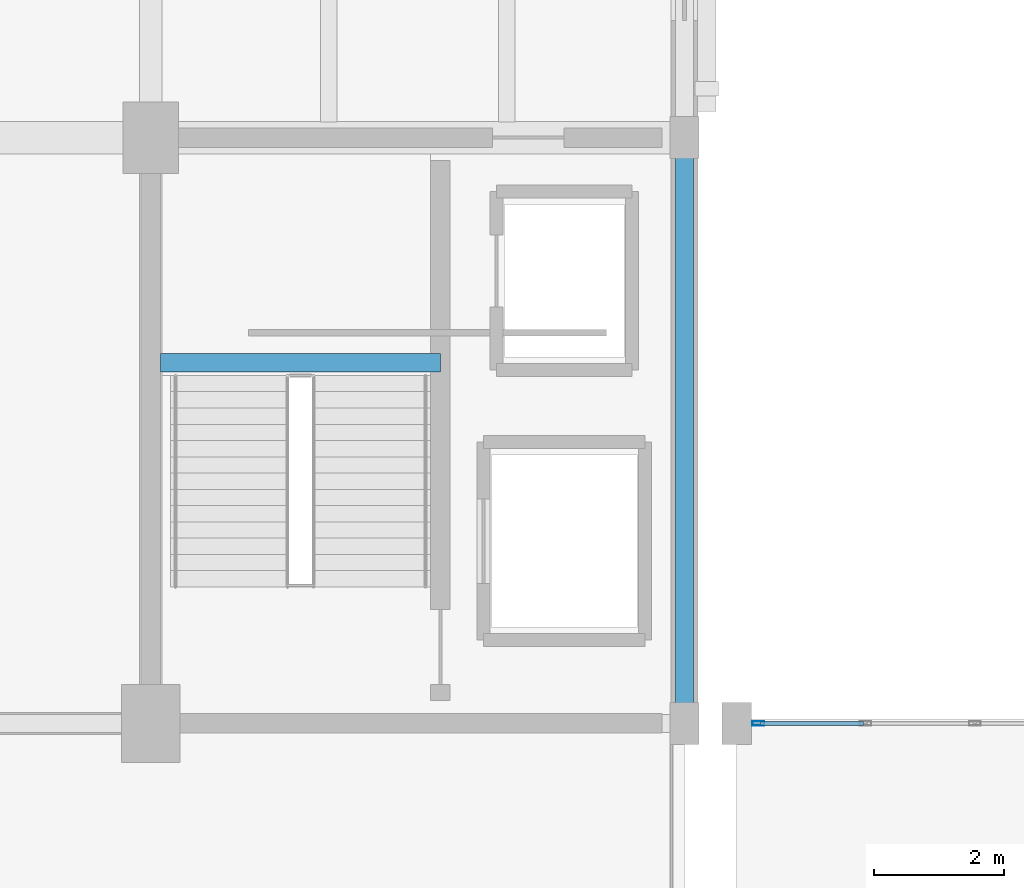
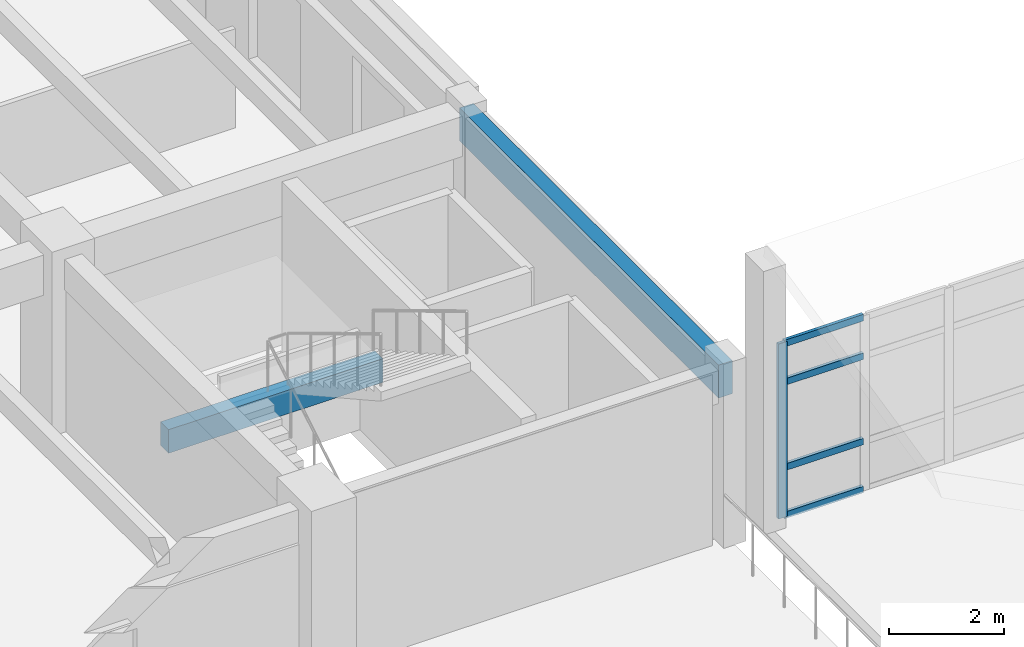
# One storey, part 30 of 156: 5 members, 2 beams, 1 element without a shape of its own.
"""IFC4 building model written with IfcOpenShell, lengths in metres."""

from ifc_helpers import new_model, si_unit, direction, frame, origin, origin_2d, place, context, subcontext, project, spatial, rectangle, hollow_rectangle, extrude, material, layer, layer_set, material_profile, profile_set, type_object, element, aggregate, save


model = new_model("IFC4")

# Units and contexts
model_context = context("Model", 3, precision=1e-05, world=origin(), true_north=direction((0.0, 1.0)))
body_context = subcontext(model_context, "Body", "Model", "MODEL_VIEW")
ifc_project = project(units=[si_unit("LENGTHUNIT", "METRE"), si_unit("AREAUNIT", "SQUARE_METRE"), si_unit("VOLUMEUNIT", "CUBIC_METRE"), si_unit("PLANEANGLEUNIT", "RADIAN"), si_unit("MASSUNIT", "GRAM", prefix="KILO")], contexts=[model_context])

# Site, building, storey
site_placement = place(None, origin())
site = spatial("IfcSite", under=ifc_project, at=site_placement, CompositionType="ELEMENT")
building_placement = place(site_placement, origin())
building = spatial("IfcBuilding", under=site, at=building_placement, Name="Ornek Quay Market", CompositionType="ELEMENT")
storey_placement = place(building_placement, frame((0.0, 0.0, 4.5)))
storey = spatial("IfcBuildingStorey", under=building, at=storey_placement, Name="L01", CompositionType="ELEMENT", Elevation=4.5)

# Beams
ifc_material_1 = material(Name="Concrete C35/45", Category="concrete")
ifc_material_profile_1 = material_profile(ifc_material_1, rectangle(XDim=0.280029296875, YDim=0.5, at=origin_2d()), Name="RC 280x500", Category="concrete")
ifc_profile_set_1 = profile_set([ifc_material_profile_1], Name="Concrete C35/45")
beam_type_1 = type_object("IfcBeamType", Name="BM-SEC-280x500", PredefinedType="JOIST", material=ifc_profile_set_1)
beam_1_placement = place(storey_placement, frame((117.14990234375, 34.5419921875, 1.534912109375), z_axis=(1.0, 0.0, 0.0), x_axis=(0.0, 1.0, 0.0)))
element("IfcBeam", 1, at=beam_1_placement, inside=storey, type_object=beam_type_1, Name="Stair landing beam BL-09", PredefinedType="JOIST", context=body_context, shape_type="SweptSolid", body=[
    extrude(rectangle(XDim=0.280029296875, YDim=0.5, at=origin_2d()), origin(), (0.0, 0.0, 1.0), 4.300048828125),
])
ifc_material_profile_2 = material_profile(ifc_material_1, rectangle(XDim=0.280029296875, YDim=0.699951171875, at=origin_2d()), Name="RC 280x700", Category="concrete")
ifc_profile_set_2 = profile_set([ifc_material_profile_2], Name="Concrete C35/45")
beam_type_2 = type_object("IfcBeamType", Name="BM-SPN-280x700", PredefinedType="SPANDREL", material=ifc_profile_set_2)
beam_2_placement = place(storey_placement, frame((125.199951171875, 29.0, 3.31005859375), z_axis=(0.0, 1.0, 0.0), x_axis=(-1.0, 0.0, 0.0)))
element("IfcBeam", 2, at=beam_2_placement, inside=storey, type_object=beam_type_2, Name="Primary beam B-SP2-080", PredefinedType="SPANDREL", context=body_context, shape_type="SweptSolid", body=[
    extrude(rectangle(XDim=0.280029296875, YDim=0.699951171875, at=origin_2d()), origin(), (0.0, 0.0, 1.0), 9.0),
])

# Curtain wall, members
ifc_material_2 = material(Name="Anodised bronze aluminium and triple low-e glass", Category="aluminium")
ifc_layer = layer(ifc_material_2, 0.199951171875, Name="Anodised bronze aluminium and triple low-e glass", Category="aluminium")
ifc_layer_set = layer_set([ifc_layer], Name="Anodised bronze aluminium and triple low-e glass")
curtain_wall_type = type_object("IfcCurtainWallType", Name="CW-CONC-MOD1800", PredefinedType="USERDEFINED", material=ifc_layer_set)
curtain_wall_placement = place(storey_placement, origin())
curtain_wall = element("IfcCurtainWall", 3, at=curtain_wall_placement, inside=storey, type_object=curtain_wall_type, Name="Curtain wall CW-035", ObjectType="CURTAIN WALL", PredefinedType="USERDEFINED")
ifc_material_3 = material(Name="Anodised aluminium 6063-T6", Category="aluminium")
ifc_material_profile_3 = material_profile(ifc_material_3, hollow_rectangle(XDim=0.06494140625, YDim=0.179931640625, WallThickness=0.00439453125, at=origin_2d()), Name="CW-MUL-65x180", Category="aluminium")
ifc_profile_set_3 = profile_set([ifc_material_profile_3], Name="Anodised aluminium 6063-T6")
member_type_1 = type_object("IfcMemberType", Name="CW-MUL-65x180", PredefinedType="MULLION", material=ifc_profile_set_3)
member_1_placement = place(storey_placement, frame((126.33251953125, 29.0, 0.0), z_axis=(0.0, 0.0, 1.0), x_axis=(0.0, 1.0, 0.0)))
member_1 = element("IfcMember", 4, at=member_1_placement, type_object=member_type_1, Name="CW-035 mullion 1", PredefinedType="MULLION", context=body_context, shape_type="SweptSolid", body=[
    extrude(hollow_rectangle(XDim=0.06494140625, YDim=0.179931640625, WallThickness=0.00439453125, at=origin_2d()), origin(), (0.0, 0.0, 1.0), 3.7099609375),
])
ifc_material_profile_4 = material_profile(ifc_material_3, hollow_rectangle(XDim=0.06494140625, YDim=0.139892578125, WallThickness=0.00439453125, at=origin_2d()), Name="CW-TRN-65x140", Category="aluminium")
ifc_profile_set_4 = profile_set([ifc_material_profile_4], Name="Anodised aluminium 6063-T6")
member_type_2 = type_object("IfcMemberType", Name="CW-TRN-65x140", PredefinedType="USERDEFINED", material=ifc_profile_set_4)
member_2_placement = place(storey_placement, frame((126.364990234375, 29.0, 0.032470703125), z_axis=(1.0, 0.0, 0.0), x_axis=(0.0, 1.0, 0.0)))
member_2 = element("IfcMember", 5, at=member_2_placement, type_object=member_type_2, Name="CW-035 transom 1.1", ObjectType="TRANSOM", PredefinedType="USERDEFINED", context=body_context, shape_type="SweptSolid", body=[
    extrude(hollow_rectangle(XDim=0.06494140625, YDim=0.139892578125, WallThickness=0.00439453125, at=origin_2d()), origin(), (0.0, 0.0, 1.0), 1.58251953125),
])
member_3_placement = place(storey_placement, frame((126.364990234375, 29.0, 1.050048828125), z_axis=(1.0, 0.0, 0.0), x_axis=(0.0, 1.0, 0.0)))
member_3 = element("IfcMember", 6, at=member_3_placement, type_object=member_type_2, Name="CW-035 transom 1.2", ObjectType="TRANSOM", PredefinedType="USERDEFINED", context=body_context, shape_type="SweptSolid", body=[
    extrude(hollow_rectangle(XDim=0.06494140625, YDim=0.139892578125, WallThickness=0.00439453125, at=origin_2d()), origin(), (0.0, 0.0, 1.0), 1.58251953125),
])
member_4_placement = place(storey_placement, frame((126.364990234375, 29.0, 2.860107421875), z_axis=(1.0, 0.0, 0.0), x_axis=(0.0, 1.0, 0.0)))
member_4 = element("IfcMember", 7, at=member_4_placement, type_object=member_type_2, Name="CW-035 transom 1.3", ObjectType="TRANSOM", PredefinedType="USERDEFINED", context=body_context, shape_type="SweptSolid", body=[
    extrude(hollow_rectangle(XDim=0.06494140625, YDim=0.139892578125, WallThickness=0.00439453125, at=origin_2d()), origin(), (0.0, 0.0, 1.0), 1.58251953125),
])
member_5_placement = place(storey_placement, frame((126.364990234375, 29.0, 3.677490234375), z_axis=(1.0, 0.0, 0.0), x_axis=(0.0, 1.0, 0.0)))
member_5 = element("IfcMember", 8, at=member_5_placement, type_object=member_type_2, Name="CW-035 transom 1.4", ObjectType="TRANSOM", PredefinedType="USERDEFINED", context=body_context, shape_type="SweptSolid", body=[
    extrude(hollow_rectangle(XDim=0.06494140625, YDim=0.139892578125, WallThickness=0.00439453125, at=origin_2d()), origin(), (0.0, 0.0, 1.0), 1.58251953125),
])
aggregate(curtain_wall, [member_1, member_2, member_3, member_4, member_5])

save(model, "model.ifc")
